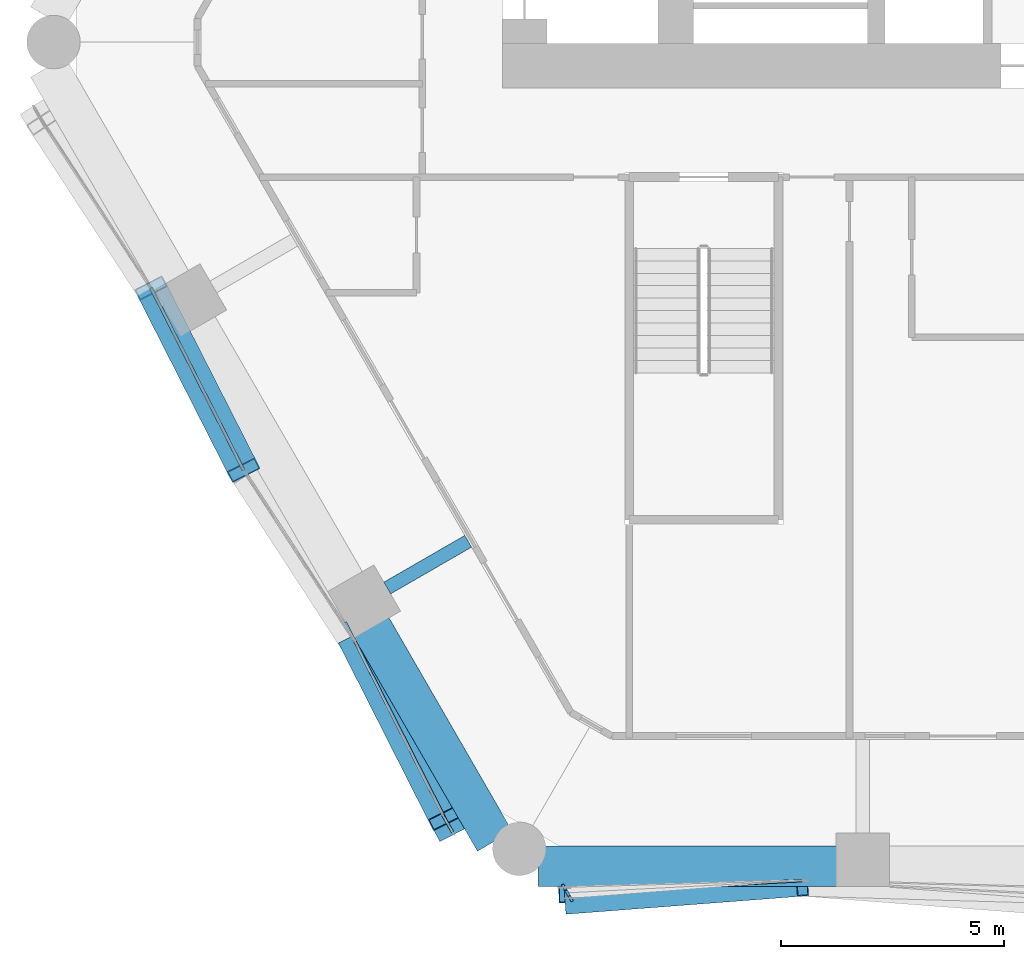
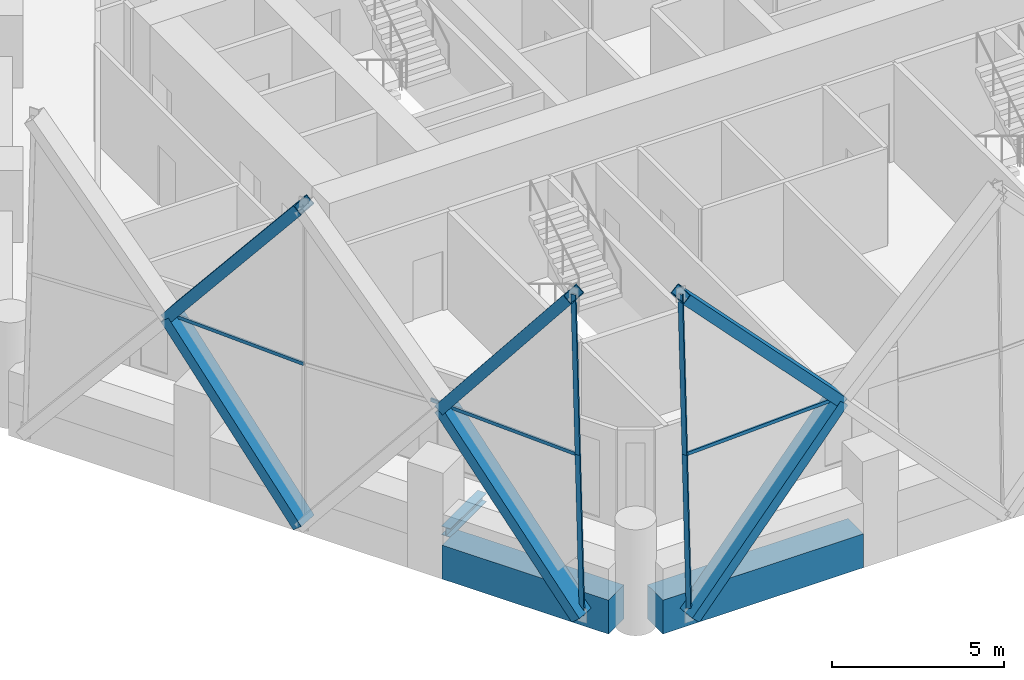
# One storey, part 2 of 21: 13 members, 3 beams, 4 elements without a shape of their own.
"""IFC4 building model written with IfcOpenShell, lengths in metres."""

from ifc_helpers import new_model, si_unit, direction, frame, origin, origin_2d, place, context, subcontext, project, spatial, rectangle, hollow_rectangle, i_section, extrude, material, material_profile, profile_set, type_object, element, aggregate, save


model = new_model("IFC4")

# Units and contexts
model_context = context("Model", 3, precision=1e-05, world=origin(), true_north=direction((0.0, 1.0)))
body_context = subcontext(model_context, "Body", "Model", "MODEL_VIEW")
ifc_project = project(units=[si_unit("LENGTHUNIT", "METRE"), si_unit("AREAUNIT", "SQUARE_METRE"), si_unit("VOLUMEUNIT", "CUBIC_METRE"), si_unit("PLANEANGLEUNIT", "RADIAN"), si_unit("MASSUNIT", "GRAM", prefix="KILO")], contexts=[model_context])

# Site, building, storey
site_placement = place(None, origin())
site = spatial("IfcSite", under=ifc_project, at=site_placement, CompositionType="ELEMENT")
building_placement = place(site_placement, origin())
building = spatial("IfcBuilding", under=site, at=building_placement, Name="Ostrander Bayou Hotel Tower", CompositionType="ELEMENT")
storey_placement = place(building_placement, frame((0.0, 0.0, 116.0)))
storey = spatial("IfcBuildingStorey", under=building, at=storey_placement, Name="L28", CompositionType="ELEMENT", Elevation=116.0)

# Curtain wall, members
ifc_material_1 = material(Name="Aluminium and clear glass", Category="aluminium")
curtain_wall_type = type_object("IfcCurtainWallType", Name="CW-LAT lattice glazing", PredefinedType="NOTDEFINED", material=ifc_material_1)
curtain_wall_1_placement = place(storey_placement, origin())
curtain_wall_1 = element("IfcCurtainWall", 1, at=curtain_wall_1_placement, inside=storey, type_object=curtain_wall_type, Name="CW-LAT L28 SW 1", PredefinedType="NOTDEFINED")
ifc_material_2 = material(Name="Aluminium", Category="aluminium")
ifc_material_profile_1 = material_profile(ifc_material_2, hollow_rectangle(XDim=0.06005859375, YDim=0.159912109375, WallThickness=0.00390625, at=origin_2d()))
ifc_profile_set_1 = profile_set([ifc_material_profile_1], Name="Aluminium")
member_type_1 = type_object("IfcMemberType", Name="CW-LA mullion 60 x 160 mm", PredefinedType="MULLION", material=ifc_profile_set_1)
member_1_placement = place(storey_placement, frame((-13.156005859375, -18.35302734375, -0.60009765625), z_axis=(-0.012626192954, 0.021824656549, 0.999682081273), x_axis=(-0.865583332221, -0.500764909893, 0.0)))
member_1 = element("IfcMember", 2, at=member_1_placement, type_object=member_type_1, Name="CW-LAT mullion 8", PredefinedType="MULLION", context=body_context, shape_type="SweptSolid", body=[
    extrude(hollow_rectangle(XDim=0.06005859375, YDim=0.159912109375, WallThickness=0.00390625, at=origin_2d()), origin(), (0.0, 0.0, 1.0), 5.626708984375),
])
member_2_placement = place(storey_placement, frame((-13.22705078125, -18.230224609375, 5.02490234375), z_axis=(-0.012582810856, 0.021824668484, 0.999682627996), x_axis=(-0.866328918095, -0.499473928922, 0.0)))
member_2 = element("IfcMember", 3, at=member_2_placement, type_object=member_type_1, Name="CW-LAT mullion 9", PredefinedType="MULLION", context=body_context, shape_type="SweptSolid", body=[
    extrude(hollow_rectangle(XDim=0.06005859375, YDim=0.159912109375, WallThickness=0.00390625, at=origin_2d()), origin(), (0.0, 0.0, 1.0), 5.626708984375),
])
aggregate(curtain_wall_1, [member_1, member_2])

curtain_wall_2_placement = place(storey_placement, origin())
curtain_wall_2 = element("IfcCurtainWall", 4, at=curtain_wall_2_placement, inside=storey, type_object=curtain_wall_type, Name="CW-LAT L28 S 1", PredefinedType="NOTDEFINED")
member_3_placement = place(storey_placement, frame((-10.46875, -19.904541015625, -0.60009765625), z_axis=(-0.012626192954, 0.021824656549, 0.999682081273), x_axis=(-0.865583332221, -0.500764909893, 0.0)))
member_3 = element("IfcMember", 5, at=member_3_placement, type_object=member_type_1, Name="CW-LAT mullion 1", PredefinedType="MULLION", context=body_context, shape_type="SweptSolid", body=[
    extrude(hollow_rectangle(XDim=0.06005859375, YDim=0.159912109375, WallThickness=0.00390625, at=origin_2d()), origin(), (0.0, 0.0, 1.0), 5.626708984375),
])
member_4_placement = place(storey_placement, frame((-10.539794921875, -19.78173828125, 5.02490234375), z_axis=(-0.012582810856, 0.021824668484, 0.999682627996), x_axis=(-0.866328918095, -0.499473928922, 0.0)))
member_4 = element("IfcMember", 6, at=member_4_placement, type_object=member_type_1, Name="CW-LAT mullion 2", PredefinedType="MULLION", context=body_context, shape_type="SweptSolid", body=[
    extrude(hollow_rectangle(XDim=0.06005859375, YDim=0.159912109375, WallThickness=0.00390625, at=origin_2d()), origin(), (0.0, 0.0, 1.0), 5.626708984375),
])
aggregate(curtain_wall_2, [member_3, member_4])

curtain_wall_3_placement = place(storey_placement, origin())
curtain_wall_3 = element("IfcCurtainWall", 7, at=curtain_wall_3_placement, inside=storey, type_object=curtain_wall_type, Name="CW-LAT L28 SW 2", PredefinedType="NOTDEFINED")
ifc_material_3 = material(Name="Aluminium", Category="aluminium")
ifc_material_profile_2 = material_profile(ifc_material_3, hollow_rectangle(XDim=0.06005859375, YDim=0.1201171875, WallThickness=0.00390625, at=origin_2d()))
ifc_profile_set_2 = profile_set([ifc_material_profile_2], Name="Aluminium")
member_type_2 = type_object("IfcMemberType", Name="CW-LA transom 60 x 120 mm", PredefinedType="USERDEFINED", material=ifc_profile_set_2)
member_5_placement = place(storey_placement, frame((-17.814208984375, -10.284912109375, 5.02490234375), z_axis=(-0.453240950376, 0.891388041709, 0.0), x_axis=(-0.891388041709, -0.453240950376, 0.0)))
member_5 = element("IfcMember", 8, at=member_5_placement, type_object=member_type_2, Name="CW-LAT transom 6", ObjectType="TRANSOM", PredefinedType="USERDEFINED", context=body_context, shape_type="SweptSolid", body=[
    extrude(hollow_rectangle(XDim=0.06005859375, YDim=0.1201171875, WallThickness=0.00390625, at=origin_2d()), origin(), (0.0, 0.0, 1.0), 4.59375),
])
member_6_placement = place(storey_placement, frame((-13.22705078125, -18.230224609375, 5.02490234375), z_axis=(-0.453238264364, 0.891389407451, 0.0), x_axis=(-0.891389407451, -0.453238264364, 0.0)))
member_6 = element("IfcMember", 9, at=member_6_placement, type_object=member_type_2, Name="CW-LAT transom 10", ObjectType="TRANSOM", PredefinedType="USERDEFINED", context=body_context, shape_type="SweptSolid", body=[
    extrude(hollow_rectangle(XDim=0.06005859375, YDim=0.1201171875, WallThickness=0.00390625, at=origin_2d()), origin(), (0.0, 0.0, 1.0), 5.0810546875),
])
aggregate(curtain_wall_3, [member_5, member_6])

# Curtain wall, member
curtain_wall_4_placement = place(storey_placement, origin())
curtain_wall_4 = element("IfcCurtainWall", 10, at=curtain_wall_4_placement, inside=storey, type_object=curtain_wall_type, Name="CW-LAT L28 S 2", PredefinedType="NOTDEFINED")
member_7_placement = place(storey_placement, frame((-10.539794921875, -19.78173828125, 5.02490234375), z_axis=(0.998647067192, 0.052000338345, 0.0), x_axis=(-0.052000338345, 0.998647067192, 0.0)))
member_7 = element("IfcMember", 11, at=member_7_placement, type_object=member_type_2, Name="CW-LAT transom 3", ObjectType="TRANSOM", PredefinedType="USERDEFINED", context=body_context, shape_type="SweptSolid", body=[
    extrude(hollow_rectangle(XDim=0.06005859375, YDim=0.1201171875, WallThickness=0.00390625, at=origin_2d()), origin(), (0.0, 0.0, 1.0), 5.277099609375),
])
aggregate(curtain_wall_4, [member_7])

# Beam
ifc_material_4 = material(Name="Steel ASTM A992", Category="steel")
ifc_material_profile_3 = material_profile(ifc_material_4, i_section(OverallWidth=0.3046875, OverallDepth=0.307861328125, WebThickness=0.010009765625, FlangeThickness=0.015380859375, at=origin_2d()))
ifc_profile_set_3 = profile_set([ifc_material_profile_3], Name="Steel ASTM A992")
beam_type_1 = type_object("IfcBeamType", Name="LB1 loggia bracket W12x65", PredefinedType="BEAM", material=ifc_profile_set_3)
beam_1_placement = place(storey_placement, frame((-14.587646484375, -12.933349609375, -0.453857421875), z_axis=(0.866009402589, 0.500027713859, 0.0), x_axis=(-0.500027713859, 0.866009402589, 0.0)))
element("IfcBeam", 12, at=beam_1_placement, inside=storey, type_object=beam_type_1, Name="LB1 L28 SW2", PredefinedType="BEAM", context=body_context, shape_type="SweptSolid", body=[
    extrude(i_section(OverallWidth=0.3046875, OverallDepth=0.307861328125, WebThickness=0.010009765625, FlangeThickness=0.015380859375, at=origin_2d()), origin(), (0.0, 0.0, 1.0), 2.10009765625),
])

# Members
ifc_material_5 = material(Name="Steel ASTM A572 Gr 50", Category="steel")
ifc_material_profile_4 = material_profile(ifc_material_5, hollow_rectangle(XDim=0.699951171875, YDim=0.35009765625, WallThickness=0.02490234375, at=origin_2d()))
ifc_profile_set_4 = profile_set([ifc_material_profile_4], Name="Steel ASTM A572 Gr 50")
member_type_3 = type_object("IfcMemberType", Name="LT1 lattice member box 700 x 350 x 25 mm", PredefinedType="BRACE", material=ifc_profile_set_4)
for number, where, z_axis, x_axis, name in (
    (13, (-19.896240234375, -6.190185546875, 5.02490234375), (0.286686905249, -0.563826544892, -0.77453873088), (0.891388041709, 0.453240950376, 0.0), "LT1 L28 SW 3"),
    (14, (-19.896240234375, -6.190185546875, 5.02490234375), (0.286686905249, -0.563826544892, 0.77453873088), (0.891388041709, 0.453240950376, 0.0), "LT1 L28 SW 4"),
):
    element("IfcMember", number, at=place(storey_placement, frame(where, z_axis=z_axis, x_axis=x_axis)), inside=storey, type_object=member_type_3, Name=name, PredefinedType="BRACE", context=body_context, shape_type="SweptSolid", body=[
        extrude(hollow_rectangle(XDim=0.699951171875, YDim=0.35009765625, WallThickness=0.02490234375, at=origin_2d()), origin(), (0.0, 0.0, 1.0), 7.262451171875),
    ])
member_8_placement = place(storey_placement, frame((-15.30908203125, -14.135498046875, 5.02490234375), z_axis=(0.292823311247, -0.573593684294, -0.765012936968), x_axis=(0.890652800154, 0.454684054678, 0.0)))
element("IfcMember", 15, at=member_8_placement, inside=storey, type_object=member_type_3, Name="LT1 L28 SW 7", PredefinedType="BRACE", context=body_context, shape_type="SweptSolid", body=[
    extrude(hollow_rectangle(XDim=0.699951171875, YDim=0.35009765625, WallThickness=0.02490234375, at=origin_2d()), origin(), (0.0, 0.0, 1.0), 7.352783203125),
])
member_9_placement = place(storey_placement, frame((-15.30908203125, -14.135498046875, 5.02490234375), z_axis=(0.280361990279, -0.553679196388, 0.784115107553), x_axis=(0.892145408537, 0.451748348118, 0.0)))
element("IfcMember", 16, at=member_9_placement, inside=storey, type_object=member_type_3, Name="LT1 L28 SW 8", PredefinedType="BRACE", context=body_context, shape_type="SweptSolid", body=[
    extrude(hollow_rectangle(XDim=0.699951171875, YDim=0.35009765625, WallThickness=0.02490234375, at=origin_2d()), origin(), (0.0, 0.0, 1.0), 7.173583984375),
])
member_10_placement = place(storey_placement, frame((-5.269775390625, -19.50732421875, 5.02490234375), z_axis=(-0.677839077855, -0.051788879064, -0.733384003465), x_axis=(0.076180885687, -0.997094013951, 0.0)))
element("IfcMember", 17, at=member_10_placement, inside=storey, type_object=member_type_3, Name="LT1 L28 S 1", PredefinedType="BRACE", context=body_context, shape_type="SweptSolid", body=[
    extrude(hollow_rectangle(XDim=0.699951171875, YDim=0.35009765625, WallThickness=0.02490234375, at=origin_2d()), origin(), (0.0, 0.0, 1.0), 7.669921875),
])
member_11_placement = place(storey_placement, frame((-5.269775390625, -19.50732421875, 5.02490234375), z_axis=(-0.6884194142, -0.019542350348, 0.725049520167), x_axis=(0.028375842871, -0.999597324697, 0.0)))
element("IfcMember", 18, at=member_11_placement, inside=storey, type_object=member_type_3, Name="LT1 L28 S 2", PredefinedType="BRACE", context=body_context, shape_type="SweptSolid", body=[
    extrude(hollow_rectangle(XDim=0.699951171875, YDim=0.35009765625, WallThickness=0.02490234375, at=origin_2d()), origin(), (0.0, 0.0, 1.0), 7.758056640625),
])

# Beams
ifc_material_6 = material(Name="Concrete f'c 70 MPa", Category="concrete")
ifc_material_profile_5 = material_profile(ifc_material_6, rectangle(XDim=0.89990234375, YDim=1.199951171875, at=origin_2d()))
ifc_profile_set_5 = profile_set([ifc_material_profile_5], Name="Concrete f'c 70 MPa")
beam_type_2 = type_object("IfcBeamType", Name="SP2 spandrel beam 900 x 1200 mm f'c 70 MPa", PredefinedType="SPANDREL", material=ifc_profile_set_5)
beam_2_placement = place(storey_placement, frame((-14.9521484375, -13.802001953125, -0.60009765625), z_axis=(0.500008568482, -0.866020456713, 0.0), x_axis=(0.866020456713, 0.500008568482, 0.0)))
element("IfcBeam", 19, at=beam_2_placement, inside=storey, type_object=beam_type_2, Name="SP2 L28 SW-3", PredefinedType="SPANDREL", context=body_context, shape_type="SweptSolid", body=[
    extrude(rectangle(XDim=0.89990234375, YDim=1.199951171875, at=origin_2d()), origin(), (0.0, 0.0, 1.0), 5.564453125),
])
beam_3_placement = place(storey_placement, frame((-11.19384765625, -19.1845703125, -0.60009765625), z_axis=(1.0, 0.0, 0.0), x_axis=(0.0, 1.0, 0.0)))
element("IfcBeam", 20, at=beam_3_placement, inside=storey, type_object=beam_type_2, Name="SP2 L28 S-1", PredefinedType="SPANDREL", context=body_context, shape_type="SweptSolid", body=[
    extrude(rectangle(XDim=0.89990234375, YDim=1.199951171875, at=origin_2d()), origin(), (0.0, 0.0, 1.0), 6.717041015625),
])

save(model, "model.ifc")
